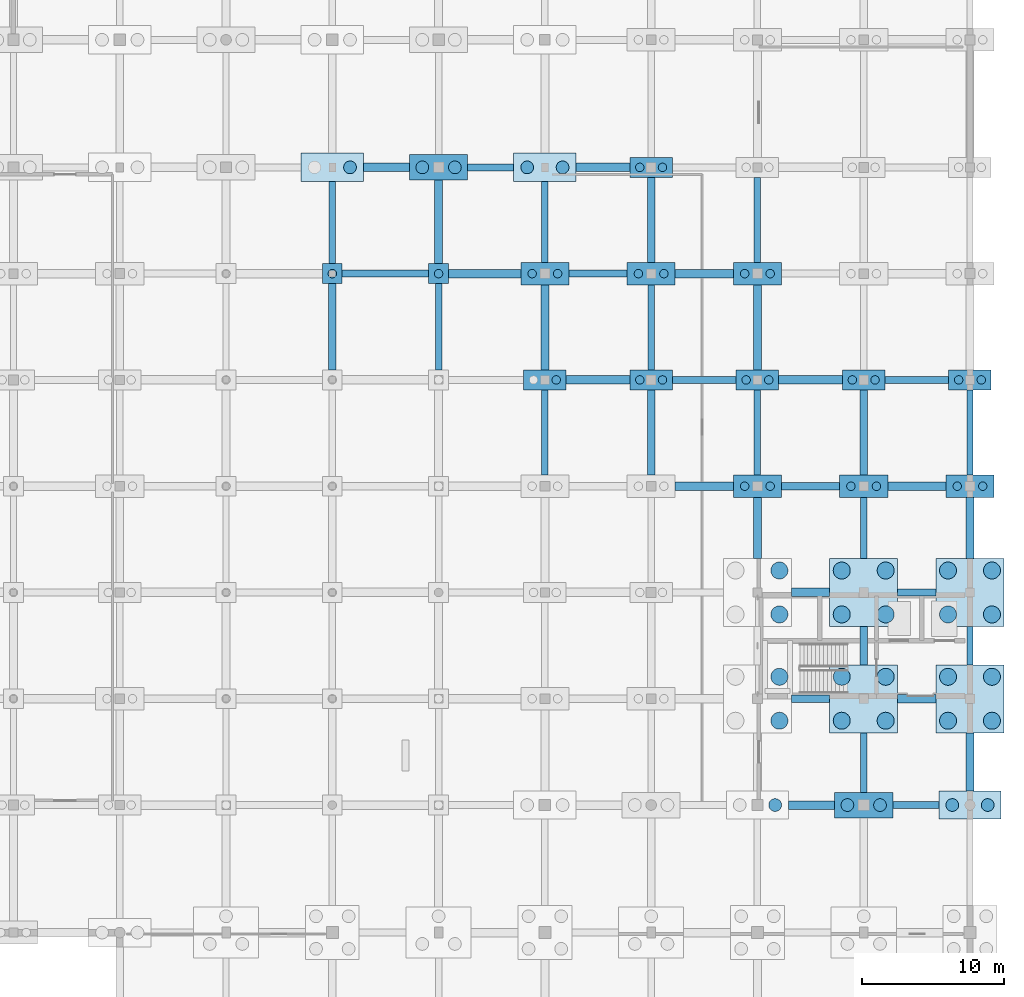
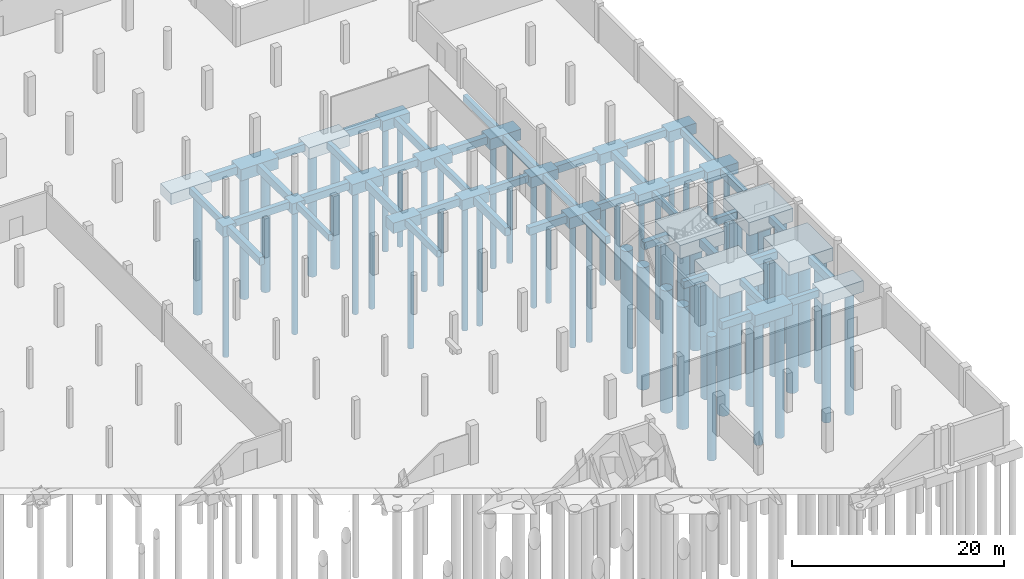
# One storey, part 13 of 42: 65 footings, 55 piles.
"""IFC4 building model written with IfcOpenShell, lengths in metres."""

from ifc_helpers import new_model, si_unit, direction, frame, origin, origin_2d, place, context, subcontext, project, spatial, rectangle, circle, extrude, material, material_profile, profile_set, type_object, element, save


model = new_model("IFC4")

# Units and contexts
model_context = context("Model", 3, precision=1e-05, world=origin(), true_north=direction((0.0, 1.0)))
body_context = subcontext(model_context, "Body", "Model", "MODEL_VIEW")
ifc_project = project(units=[si_unit("LENGTHUNIT", "METRE"), si_unit("AREAUNIT", "SQUARE_METRE"), si_unit("VOLUMEUNIT", "CUBIC_METRE"), si_unit("PLANEANGLEUNIT", "RADIAN"), si_unit("MASSUNIT", "GRAM", prefix="KILO")], contexts=[model_context])

# Site, building, storey
site_placement = place(None, origin())
site = spatial("IfcSite", under=ifc_project, at=site_placement, CompositionType="ELEMENT")
building_placement = place(site_placement, origin())
building = spatial("IfcBuilding", under=site, at=building_placement, Name="Dalvernix Boulevard General Hospital", CompositionType="ELEMENT")
storey_placement = place(building_placement, frame((0.0, 0.0, -4.5)))
storey = spatial("IfcBuildingStorey", under=building, at=storey_placement, Name="B1", CompositionType="ELEMENT", Elevation=-4.5)

# Footings
ifc_material_1 = material(Name="Concrete C35/45", Category="concrete")
footing_type_1 = type_object("IfcFootingType", Name="FTG-GB-01", PredefinedType="FOOTING_BEAM", material=ifc_material_1)
footing_1_placement = place(storey_placement, frame((168.675048828125, 31.5, -1.2998046875), z_axis=(0.0, 0.0, 1.0), x_axis=(1.0, 0.0, 0.0)))
element("IfcFooting", 1, at=footing_1_placement, inside=storey, type_object=footing_type_1, Name="Ground beam E:23-24", PredefinedType="FOOTING_BEAM", context=body_context, shape_type="SweptSolid", body=[
    extrude(rectangle(XDim=3.25, YDim=0.5, at=origin_2d()), origin(), (0.0, 0.0, 1.0), 0.800048828125),
])
for number, where, z_axis, x_axis, name in (
    (2, (161.25, 39.0, -1.2998046875), (0.0, 0.0, 1.0), (1.0, 0.0, 0.0), "Ground beam F:22-23"),
    (3, (168.75, 46.5, -1.2998046875), (0.0, 0.0, 1.0), (1.0, 0.0, 0.0), "Ground beam G:23-24"),
):
    element("IfcFooting", number, at=place(storey_placement, frame(where, z_axis=z_axis, x_axis=x_axis)), inside=storey, type_object=footing_type_1, Name=name, PredefinedType="FOOTING_BEAM", context=body_context, shape_type="SweptSolid", body=[
        extrude(rectangle(XDim=2.699951171875, YDim=0.5, at=origin_2d()), origin(), (0.0, 0.0, 1.0), 0.800048828125),
    ])
footing_2_placement = place(storey_placement, frame((161.25, 54.0, -1.2998046875), z_axis=(0.0, 0.0, 1.0), x_axis=(1.0, 0.0, 0.0)))
element("IfcFooting", 4, at=footing_2_placement, inside=storey, type_object=footing_type_1, Name="Ground beam H:22-23", PredefinedType="FOOTING_BEAM", context=body_context, shape_type="SweptSolid", body=[
    extrude(rectangle(XDim=4.10009765625, YDim=0.5, at=origin_2d()), origin(), (0.0, 0.0, 1.0), 0.800048828125),
])
for number, where, z_axis, x_axis, name in (
    (5, (153.75, 61.5, -1.2998046875), (0.0, 0.0, 1.0), (1.0, 0.0, 0.0), "Ground beam J:21-22"),
    (6, (168.75, 61.5, -1.2998046875), (0.0, 0.0, 1.0), (1.0, 0.0, 0.0), "Ground beam J:23-24"),
):
    element("IfcFooting", number, at=place(storey_placement, frame(where, z_axis=z_axis, x_axis=x_axis)), inside=storey, type_object=footing_type_1, Name=name, PredefinedType="FOOTING_BEAM", context=body_context, shape_type="SweptSolid", body=[
        extrude(rectangle(XDim=4.5, YDim=0.5, at=origin_2d()), origin(), (0.0, 0.0, 1.0), 0.800048828125),
    ])
footing_3_placement = place(storey_placement, frame((131.25, 69.0, -1.2998046875), z_axis=(0.0, 0.0, 1.0), x_axis=(1.0, 0.0, 0.0)))
element("IfcFooting", 7, at=footing_3_placement, inside=storey, type_object=footing_type_1, Name="Ground beam K:18-19", PredefinedType="FOOTING_BEAM", context=body_context, shape_type="SweptSolid", body=[
    extrude(rectangle(XDim=6.10009765625, YDim=0.5, at=origin_2d()), origin(), (0.0, 0.0, 1.0), 0.800048828125),
])
footing_4_placement = place(storey_placement, frame((146.25, 69.0, -1.2998046875), z_axis=(0.0, 0.0, 1.0), x_axis=(1.0, 0.0, 0.0)))
element("IfcFooting", 8, at=footing_4_placement, inside=storey, type_object=footing_type_1, Name="Ground beam K:20-21", PredefinedType="FOOTING_BEAM", context=body_context, shape_type="SweptSolid", body=[
    extrude(rectangle(XDim=4.10009765625, YDim=0.5, at=origin_2d()), origin(), (0.0, 0.0, 1.0), 0.800048828125),
])
footing_5_placement = place(storey_placement, frame((138.675048828125, 76.5, -1.2998046875), z_axis=(0.0, 0.0, 1.0), x_axis=(1.0, 0.0, 0.0)))
element("IfcFooting", 9, at=footing_5_placement, inside=storey, type_object=footing_type_1, Name="Ground beam L:19-20", PredefinedType="FOOTING_BEAM", context=body_context, shape_type="SweptSolid", body=[
    extrude(rectangle(XDim=3.25, YDim=0.5, at=origin_2d()), origin(), (0.0, 0.0, 1.0), 0.800048828125),
])
footing_type_2 = type_object("IfcFootingType", Name="FTG-GB-02", PredefinedType="FOOTING_BEAM", material=ifc_material_1)
footing_6_placement = place(storey_placement, frame((161.324951171875, 31.5, -1.35009765625), z_axis=(0.0, 0.0, 1.0), x_axis=(1.0, 0.0, 0.0)))
element("IfcFooting", 10, at=footing_6_placement, inside=storey, type_object=footing_type_2, Name="Ground beam E:22-23", PredefinedType="FOOTING_BEAM", context=body_context, shape_type="SweptSolid", body=[
    extrude(rectangle(XDim=3.25, YDim=0.60009765625, at=origin_2d()), origin(), (0.0, 0.0, 1.0), 0.85009765625),
])
for number, where, z_axis, x_axis, name in (
    (11, (168.75, 39.0, -1.35009765625), (0.0, 0.0, 1.0), (1.0, 0.0, 0.0), "Ground beam F:23-24"),
    (12, (161.25, 46.5, -1.35009765625), (0.0, 0.0, 1.0), (1.0, 0.0, 0.0), "Ground beam G:22-23"),
):
    element("IfcFooting", number, at=place(storey_placement, frame(where, z_axis=z_axis, x_axis=x_axis)), inside=storey, type_object=footing_type_2, Name=name, PredefinedType="FOOTING_BEAM", context=body_context, shape_type="SweptSolid", body=[
        extrude(rectangle(XDim=2.699951171875, YDim=0.60009765625, at=origin_2d()), origin(), (0.0, 0.0, 1.0), 0.85009765625),
    ])
for number, where, z_axis, x_axis, name in (
    (13, (153.75, 54.0, -1.35009765625), (0.0, 0.0, 1.0), (1.0, 0.0, 0.0), "Ground beam H:21-22"),
    (14, (168.75, 54.0, -1.35009765625), (0.0, 0.0, 1.0), (1.0, 0.0, 0.0), "Ground beam H:23-24"),
):
    element("IfcFooting", number, at=place(storey_placement, frame(where, z_axis=z_axis, x_axis=x_axis)), inside=storey, type_object=footing_type_2, Name=name, PredefinedType="FOOTING_BEAM", context=body_context, shape_type="SweptSolid", body=[
        extrude(rectangle(XDim=4.10009765625, YDim=0.60009765625, at=origin_2d()), origin(), (0.0, 0.0, 1.0), 0.85009765625),
    ])
for number, where, z_axis, x_axis, name in (
    (15, (146.25, 61.5, -1.35009765625), (0.0, 0.0, 1.0), (1.0, 0.0, 0.0), "Ground beam J:20-21"),
    (16, (161.25, 61.5, -1.35009765625), (0.0, 0.0, 1.0), (1.0, 0.0, 0.0), "Ground beam J:22-23"),
):
    element("IfcFooting", number, at=place(storey_placement, frame(where, z_axis=z_axis, x_axis=x_axis)), inside=storey, type_object=footing_type_2, Name=name, PredefinedType="FOOTING_BEAM", context=body_context, shape_type="SweptSolid", body=[
        extrude(rectangle(XDim=4.5, YDim=0.60009765625, at=origin_2d()), origin(), (0.0, 0.0, 1.0), 0.85009765625),
    ])
footing_7_placement = place(storey_placement, frame((138.25, 69.0, -1.35009765625), z_axis=(0.0, 0.0, 1.0), x_axis=(1.0, 0.0, 0.0)))
element("IfcFooting", 17, at=footing_7_placement, inside=storey, type_object=footing_type_2, Name="Ground beam K:19-20", PredefinedType="FOOTING_BEAM", context=body_context, shape_type="SweptSolid", body=[
    extrude(rectangle(XDim=5.10009765625, YDim=0.60009765625, at=origin_2d()), origin(), (0.0, 0.0, 1.0), 0.85009765625),
])
footing_8_placement = place(storey_placement, frame((153.75, 69.0, -1.35009765625), z_axis=(0.0, 0.0, 1.0), x_axis=(1.0, 0.0, 0.0)))
element("IfcFooting", 18, at=footing_8_placement, inside=storey, type_object=footing_type_2, Name="Ground beam K:21-22", PredefinedType="FOOTING_BEAM", context=body_context, shape_type="SweptSolid", body=[
    extrude(rectangle(XDim=4.10009765625, YDim=0.60009765625, at=origin_2d()), origin(), (0.0, 0.0, 1.0), 0.85009765625),
])
footing_9_placement = place(storey_placement, frame((131.324951171875, 76.5, -1.35009765625), z_axis=(0.0, 0.0, 1.0), x_axis=(1.0, 0.0, 0.0)))
element("IfcFooting", 19, at=footing_9_placement, inside=storey, type_object=footing_type_2, Name="Ground beam L:18-19", PredefinedType="FOOTING_BEAM", context=body_context, shape_type="SweptSolid", body=[
    extrude(rectangle(XDim=3.25, YDim=0.60009765625, at=origin_2d()), origin(), (0.0, 0.0, 1.0), 0.85009765625),
])
footing_10_placement = place(storey_placement, frame((146.60009765625, 76.5, -1.35009765625), z_axis=(0.0, 0.0, 1.0), x_axis=(1.0, 0.0, 0.0)))
element("IfcFooting", 20, at=footing_10_placement, inside=storey, type_object=footing_type_2, Name="Ground beam L:20-21", PredefinedType="FOOTING_BEAM", context=body_context, shape_type="SweptSolid", body=[
    extrude(rectangle(XDim=3.800048828125, YDim=0.60009765625, at=origin_2d()), origin(), (0.0, 0.0, 1.0), 0.85009765625),
])
footing_type_3 = type_object("IfcFootingType", Name="FTG-GB-03", PredefinedType="FOOTING_BEAM", material=ifc_material_1)
footing_11_placement = place(storey_placement, frame((127.5, 72.60009765625, -1.25), z_axis=(0.0, 0.0, 1.0), x_axis=(0.0, 1.0, 0.0)))
element("IfcFooting", 21, at=footing_11_placement, inside=storey, type_object=footing_type_3, Name="Ground beam 18:K-L", PredefinedType="FOOTING_BEAM", context=body_context, shape_type="SweptSolid", body=[
    extrude(rectangle(XDim=5.800048828125, YDim=0.449951171875, at=origin_2d()), origin(), (0.0, 0.0, 1.0), 0.75),
])
footing_12_placement = place(storey_placement, frame((135.0, 65.25, -1.25), z_axis=(0.0, 0.0, 1.0), x_axis=(0.0, 1.0, 0.0)))
element("IfcFooting", 22, at=footing_12_placement, inside=storey, type_object=footing_type_3, Name="Ground beam 19:J-K", PredefinedType="FOOTING_BEAM", context=body_context, shape_type="SweptSolid", body=[
    extrude(rectangle(XDim=6.10009765625, YDim=0.449951171875, at=origin_2d()), origin(), (0.0, 0.0, 1.0), 0.75),
])
footing_13_placement = place(storey_placement, frame((142.5, 57.800048828125, -1.25), z_axis=(0.0, 0.0, 1.0), x_axis=(0.0, 1.0, 0.0)))
element("IfcFooting", 23, at=footing_13_placement, inside=storey, type_object=footing_type_3, Name="Ground beam 20:H-J", PredefinedType="FOOTING_BEAM", context=body_context, shape_type="SweptSolid", body=[
    extrude(rectangle(XDim=6.0, YDim=0.449951171875, at=origin_2d()), origin(), (0.0, 0.0, 1.0), 0.75),
])
footing_14_placement = place(storey_placement, frame((142.5, 72.64990234375, -1.25), z_axis=(0.0, 0.0, 1.0), x_axis=(0.0, 1.0, 0.0)))
element("IfcFooting", 24, at=footing_14_placement, inside=storey, type_object=footing_type_3, Name="Ground beam 20:K-L", PredefinedType="FOOTING_BEAM", context=body_context, shape_type="SweptSolid", body=[
    extrude(rectangle(XDim=5.699951171875, YDim=0.449951171875, at=origin_2d()), origin(), (0.0, 0.0, 1.0), 0.75),
])
for number, where, z_axis, x_axis, name in (
    (25, (150.0, 65.199951171875, -1.25), (0.0, 0.0, 1.0), (0.0, 1.0, 0.0), "Ground beam 21:J-K"),
    (26, (157.5, 57.800048828125, -1.25), (0.0, 0.0, 1.0), (0.0, 1.0, 0.0), "Ground beam 22:H-J"),
    (27, (157.5, 72.800048828125, -1.25), (0.0, 0.0, 1.0), (0.0, 1.0, 0.0), "Ground beam 22:K-L"),
):
    element("IfcFooting", number, at=place(storey_placement, frame(where, z_axis=z_axis, x_axis=x_axis)), inside=storey, type_object=footing_type_3, Name=name, PredefinedType="FOOTING_BEAM", context=body_context, shape_type="SweptSolid", body=[
        extrude(rectangle(XDim=6.0, YDim=0.449951171875, at=origin_2d()), origin(), (0.0, 0.0, 1.0), 0.75),
    ])
footing_15_placement = place(storey_placement, frame((165.0, 34.5, -1.25), z_axis=(0.0, 0.0, 1.0), x_axis=(0.0, 1.0, 0.0)))
element("IfcFooting", 28, at=footing_15_placement, inside=storey, type_object=footing_type_3, Name="Ground beam 23:E-F", PredefinedType="FOOTING_BEAM", context=body_context, shape_type="SweptSolid", body=[
    extrude(rectangle(XDim=4.199951171875, YDim=0.449951171875, at=origin_2d()), origin(), (0.0, 0.0, 1.0), 0.75),
])
footing_16_placement = place(storey_placement, frame((165.0, 51.050048828125, -1.25), z_axis=(0.0, 0.0, 1.0), x_axis=(0.0, 1.0, 0.0)))
element("IfcFooting", 29, at=footing_16_placement, inside=storey, type_object=footing_type_3, Name="Ground beam 23:G-H", PredefinedType="FOOTING_BEAM", context=body_context, shape_type="SweptSolid", body=[
    extrude(rectangle(XDim=4.300048828125, YDim=0.449951171875, at=origin_2d()), origin(), (0.0, 0.0, 1.0), 0.75),
])
footing_17_placement = place(storey_placement, frame((172.5, 42.75, -1.25), z_axis=(0.0, 0.0, 1.0), x_axis=(0.0, 1.0, 0.0)))
element("IfcFooting", 30, at=footing_17_placement, inside=storey, type_object=footing_type_3, Name="Ground beam 24:F-G", PredefinedType="FOOTING_BEAM", context=body_context, shape_type="SweptSolid", body=[
    extrude(rectangle(XDim=2.699951171875, YDim=0.449951171875, at=origin_2d()), origin(), (0.0, 0.0, 1.0), 0.75),
])
footing_18_placement = place(storey_placement, frame((172.5, 57.800048828125, -1.25), z_axis=(0.0, 0.0, 1.0), x_axis=(0.0, 1.0, 0.0)))
element("IfcFooting", 31, at=footing_18_placement, inside=storey, type_object=footing_type_3, Name="Ground beam 24:H-J", PredefinedType="FOOTING_BEAM", context=body_context, shape_type="SweptSolid", body=[
    extrude(rectangle(XDim=6.0, YDim=0.449951171875, at=origin_2d()), origin(), (0.0, 0.0, 1.0), 0.75),
])
footing_type_4 = type_object("IfcFootingType", Name="FTG-GB-04", PredefinedType="FOOTING_BEAM", material=ifc_material_1)
footing_19_placement = place(storey_placement, frame((127.5, 65.25, -1.39990234375), z_axis=(0.0, 0.0, 1.0), x_axis=(0.0, 1.0, 0.0)))
element("IfcFooting", 32, at=footing_19_placement, inside=storey, type_object=footing_type_4, Name="Ground beam 18:J-K", PredefinedType="FOOTING_BEAM", context=body_context, shape_type="SweptSolid", body=[
    extrude(rectangle(XDim=6.10009765625, YDim=0.550048828125, at=origin_2d()), origin(), (0.0, 0.0, 1.0), 0.89990234375),
])
footing_20_placement = place(storey_placement, frame((135.0, 72.64990234375, -1.39990234375), z_axis=(0.0, 0.0, 1.0), x_axis=(0.0, 1.0, 0.0)))
element("IfcFooting", 33, at=footing_20_placement, inside=storey, type_object=footing_type_4, Name="Ground beam 19:K-L", PredefinedType="FOOTING_BEAM", context=body_context, shape_type="SweptSolid", body=[
    extrude(rectangle(XDim=5.89990234375, YDim=0.550048828125, at=origin_2d()), origin(), (0.0, 0.0, 1.0), 0.89990234375),
])
for number, where, z_axis, x_axis, name in (
    (34, (142.5, 65.199951171875, -1.39990234375), (0.0, 0.0, 1.0), (0.0, 1.0, 0.0), "Ground beam 20:J-K"),
    (35, (150.0, 57.800048828125, -1.39990234375), (0.0, 0.0, 1.0), (0.0, 1.0, 0.0), "Ground beam 21:H-J"),
    (36, (150.0, 72.800048828125, -1.39990234375), (0.0, 0.0, 1.0), (0.0, 1.0, 0.0), "Ground beam 21:K-L"),
):
    element("IfcFooting", number, at=place(storey_placement, frame(where, z_axis=z_axis, x_axis=x_axis)), inside=storey, type_object=footing_type_4, Name=name, PredefinedType="FOOTING_BEAM", context=body_context, shape_type="SweptSolid", body=[
        extrude(rectangle(XDim=6.0, YDim=0.550048828125, at=origin_2d()), origin(), (0.0, 0.0, 1.0), 0.89990234375),
    ])
footing_21_placement = place(storey_placement, frame((157.5, 51.050048828125, -1.39990234375), z_axis=(0.0, 0.0, 1.0), x_axis=(0.0, 1.0, 0.0)))
element("IfcFooting", 37, at=footing_21_placement, inside=storey, type_object=footing_type_4, Name="Ground beam 22:G-H", PredefinedType="FOOTING_BEAM", context=body_context, shape_type="SweptSolid", body=[
    extrude(rectangle(XDim=4.300048828125, YDim=0.550048828125, at=origin_2d()), origin(), (0.0, 0.0, 1.0), 0.89990234375),
])
footing_22_placement = place(storey_placement, frame((157.5, 65.199951171875, -1.39990234375), z_axis=(0.0, 0.0, 1.0), x_axis=(0.0, 1.0, 0.0)))
element("IfcFooting", 38, at=footing_22_placement, inside=storey, type_object=footing_type_4, Name="Ground beam 22:J-K", PredefinedType="FOOTING_BEAM", context=body_context, shape_type="SweptSolid", body=[
    extrude(rectangle(XDim=6.0, YDim=0.550048828125, at=origin_2d()), origin(), (0.0, 0.0, 1.0), 0.89990234375),
])
footing_23_placement = place(storey_placement, frame((165.0, 42.75, -1.39990234375), z_axis=(0.0, 0.0, 1.0), x_axis=(0.0, 1.0, 0.0)))
element("IfcFooting", 39, at=footing_23_placement, inside=storey, type_object=footing_type_4, Name="Ground beam 23:F-G", PredefinedType="FOOTING_BEAM", context=body_context, shape_type="SweptSolid", body=[
    extrude(rectangle(XDim=2.699951171875, YDim=0.550048828125, at=origin_2d()), origin(), (0.0, 0.0, 1.0), 0.89990234375),
])
footing_24_placement = place(storey_placement, frame((165.0, 57.800048828125, -1.39990234375), z_axis=(0.0, 0.0, 1.0), x_axis=(0.0, 1.0, 0.0)))
element("IfcFooting", 40, at=footing_24_placement, inside=storey, type_object=footing_type_4, Name="Ground beam 23:H-J", PredefinedType="FOOTING_BEAM", context=body_context, shape_type="SweptSolid", body=[
    extrude(rectangle(XDim=6.0, YDim=0.550048828125, at=origin_2d()), origin(), (0.0, 0.0, 1.0), 0.89990234375),
])
footing_25_placement = place(storey_placement, frame((172.5, 34.550048828125, -1.39990234375), z_axis=(0.0, 0.0, 1.0), x_axis=(0.0, 1.0, 0.0)))
element("IfcFooting", 41, at=footing_25_placement, inside=storey, type_object=footing_type_4, Name="Ground beam 24:E-F", PredefinedType="FOOTING_BEAM", context=body_context, shape_type="SweptSolid", body=[
    extrude(rectangle(XDim=4.10009765625, YDim=0.550048828125, at=origin_2d()), origin(), (0.0, 0.0, 1.0), 0.89990234375),
])
footing_26_placement = place(storey_placement, frame((172.5, 51.050048828125, -1.39990234375), z_axis=(0.0, 0.0, 1.0), x_axis=(0.0, 1.0, 0.0)))
element("IfcFooting", 42, at=footing_26_placement, inside=storey, type_object=footing_type_4, Name="Ground beam 24:G-H", PredefinedType="FOOTING_BEAM", context=body_context, shape_type="SweptSolid", body=[
    extrude(rectangle(XDim=4.300048828125, YDim=0.550048828125, at=origin_2d()), origin(), (0.0, 0.0, 1.0), 0.89990234375),
])
ifc_material_2 = material(Name="Concrete C40/50", Category="concrete")
footing_type_5 = type_object("IfcFootingType", Name="FTG-PC-01", PredefinedType="PILE_CAP", material=ifc_material_2)
for number, where, z_axis, x_axis, name in (
    (43, (127.5, 69.0, -1.7001953125), (0.0, 0.0, 1.0), (1.0, 0.0, 0.0), "Pile cap 18K"),
    (44, (135.0, 69.0, -1.7001953125), (0.0, 0.0, 1.0), (1.0, 0.0, 0.0), "Pile cap 19K"),
):
    element("IfcFooting", number, at=place(storey_placement, frame(where, z_axis=z_axis, x_axis=x_axis)), inside=storey, type_object=footing_type_5, Name=name, PredefinedType="PILE_CAP", context=body_context, shape_type="SweptSolid", body=[
        extrude(rectangle(XDim=1.39990234375, YDim=1.39990234375, at=origin_2d()), origin(), (0.0, 0.0, 1.0), 1.199951171875),
    ])
footing_type_6 = type_object("IfcFootingType", Name="FTG-PC-02", PredefinedType="PILE_CAP", material=ifc_material_2)
for number, where, z_axis, x_axis, name in (
    (45, (142.5, 61.5, -1.7001953125), (0.0, 0.0, 1.0), (1.0, 0.0, 0.0), "Pile cap 20J"),
    (46, (150.0, 61.5, -1.7001953125), (0.0, 0.0, 1.0), (1.0, 0.0, 0.0), "Pile cap 21J"),
    (47, (150.0, 76.5, -1.7001953125), (0.0, 0.0, 1.0), (1.0, 0.0, 0.0), "Pile cap 21L"),
    (48, (157.5, 61.5, -1.7001953125), (0.0, 0.0, 1.0), (1.0, 0.0, 0.0), "Pile cap 22J"),
    (49, (165.0, 61.5, -1.7001953125), (0.0, 0.0, 1.0), (1.0, 0.0, 0.0), "Pile cap 23J"),
    (50, (172.5, 61.5, -1.7001953125), (0.0, 0.0, 1.0), (1.0, 0.0, 0.0), "Pile cap 24J"),
):
    element("IfcFooting", number, at=place(storey_placement, frame(where, z_axis=z_axis, x_axis=x_axis)), inside=storey, type_object=footing_type_6, Name=name, PredefinedType="PILE_CAP", context=body_context, shape_type="SweptSolid", body=[
        extrude(rectangle(XDim=3.0, YDim=1.39990234375, at=origin_2d()), origin(), (0.0, 0.0, 1.0), 1.199951171875),
    ])
footing_type_7 = type_object("IfcFootingType", Name="FTG-PC-03", PredefinedType="PILE_CAP", material=ifc_material_2)
for number, where, z_axis, x_axis, name in (
    (51, (142.5, 69.0, -1.75), (0.0, 0.0, 1.0), (1.0, 0.0, 0.0), "Pile cap 20K"),
    (52, (150.0, 69.0, -1.75), (0.0, 0.0, 1.0), (1.0, 0.0, 0.0), "Pile cap 21K"),
    (53, (157.5, 54.0, -1.75), (0.0, 0.0, 1.0), (1.0, 0.0, 0.0), "Pile cap 22H"),
    (54, (157.5, 69.0, -1.75), (0.0, 0.0, 1.0), (1.0, 0.0, 0.0), "Pile cap 22K"),
    (55, (165.0, 54.0, -1.75), (0.0, 0.0, 1.0), (1.0, 0.0, 0.0), "Pile cap 23H"),
    (56, (172.5, 54.0, -1.75), (0.0, 0.0, 1.0), (1.0, 0.0, 0.0), "Pile cap 24H"),
):
    element("IfcFooting", number, at=place(storey_placement, frame(where, z_axis=z_axis, x_axis=x_axis)), inside=storey, type_object=footing_type_7, Name=name, PredefinedType="PILE_CAP", context=body_context, shape_type="SweptSolid", body=[
        extrude(rectangle(XDim=3.39990234375, YDim=1.60009765625, at=origin_2d()), origin(), (0.0, 0.0, 1.0), 1.25),
    ])
footing_type_8 = type_object("IfcFootingType", Name="FTG-PC-04", PredefinedType="PILE_CAP", material=ifc_material_2)
for number, where, z_axis, x_axis, name in (
    (57, (135.0, 76.5, -1.7998046875), (0.0, 0.0, 1.0), (1.0, 0.0, 0.0), "Pile cap 19L"),
    (58, (165.0, 31.5, -1.7998046875), (0.0, 0.0, 1.0), (1.0, 0.0, 0.0), "Pile cap 23E"),
):
    element("IfcFooting", number, at=place(storey_placement, frame(where, z_axis=z_axis, x_axis=x_axis)), inside=storey, type_object=footing_type_8, Name=name, PredefinedType="PILE_CAP", context=body_context, shape_type="SweptSolid", body=[
        extrude(rectangle(XDim=4.10009765625, YDim=1.800048828125, at=origin_2d()), origin(), (0.0, 0.0, 1.0), 1.300048828125),
    ])
footing_type_9 = type_object("IfcFootingType", Name="FTG-PC-05", PredefinedType="PILE_CAP", material=ifc_material_2)
for number, where, z_axis, x_axis, name in (
    (59, (127.5, 76.5, -1.7998046875), (0.0, 0.0, 1.0), (1.0, 0.0, 0.0), "Pile cap 18L"),
    (60, (142.5, 76.5, -1.7998046875), (0.0, 0.0, 1.0), (1.0, 0.0, 0.0), "Pile cap 20L"),
    (61, (172.5, 31.5, -1.7998046875), (0.0, 0.0, 1.0), (1.0, 0.0, 0.0), "Pile cap 24E"),
):
    element("IfcFooting", number, at=place(storey_placement, frame(where, z_axis=z_axis, x_axis=x_axis)), inside=storey, type_object=footing_type_9, Name=name, PredefinedType="PILE_CAP", context=body_context, shape_type="SweptSolid", body=[
        extrude(rectangle(XDim=4.39990234375, YDim=2.0, at=origin_2d()), origin(), (0.0, 0.0, 1.0), 1.300048828125),
    ])
footing_type_10 = type_object("IfcFootingType", Name="FTG-PC-09", PredefinedType="PILE_CAP", material=ifc_material_2)
for number, where, z_axis, x_axis, name in (
    (62, (165.0, 39.0, -2.0), (0.0, 0.0, 1.0), (1.0, 0.0, 0.0), "Pile cap 23F"),
    (63, (165.0, 46.5, -2.0), (0.0, 0.0, 1.0), (1.0, 0.0, 0.0), "Pile cap 23G"),
    (64, (172.5, 39.0, -2.0), (0.0, 0.0, 1.0), (1.0, 0.0, 0.0), "Pile cap 24F"),
    (65, (172.5, 46.5, -2.0), (0.0, 0.0, 1.0), (1.0, 0.0, 0.0), "Pile cap 24G"),
):
    element("IfcFooting", number, at=place(storey_placement, frame(where, z_axis=z_axis, x_axis=x_axis)), inside=storey, type_object=footing_type_10, Name=name, PredefinedType="PILE_CAP", context=body_context, shape_type="SweptSolid", body=[
        extrude(rectangle(XDim=4.800048828125, YDim=4.800048828125, at=origin_2d()), origin(), (0.0, 0.0, 1.0), 1.5),
    ])

# Piles
ifc_material_profile_1 = material_profile(ifc_material_1, circle(Radius=0.300048828125, at=origin_2d()), Name="BORED PILE D600")
ifc_profile_set_1 = profile_set([ifc_material_profile_1], Name="Concrete C35/45")
pile_type_1 = type_object("IfcPileType", Name="PILE-PL-01", PredefinedType="BORED", material=ifc_profile_set_1)
for number, where, z_axis, x_axis, name in (
    (66, (127.5, 69.0, -1.60009765625), (0.0, 0.0, -1.0), (1.0, 0.0, 0.0), "Bored pile 18K-1"),
    (67, (135.0, 69.0, -1.60009765625), (0.0, 0.0, -1.0), (1.0, 0.0, 0.0), "Bored pile 19K-1"),
    (68, (143.300048828125, 61.5, -1.60009765625), (0.0, 0.0, -1.0), (1.0, 0.0, 0.0), "Bored pile 20J-2"),
):
    element("IfcPile", number, at=place(storey_placement, frame(where, z_axis=z_axis, x_axis=x_axis)), inside=storey, type_object=pile_type_1, Name=name, PredefinedType="BORED", context=body_context, shape_type="SweptSolid", body=[
        extrude(circle(Radius=0.300048828125, at=origin_2d()), origin(), (0.0, 0.0, 1.0), 14.39990234375),
    ])
for number, where, z_axis, x_axis, name in (
    (69, (141.60009765625, 69.0, -1.64990234375), (0.0, 0.0, -1.0), (1.0, 0.0, 0.0), "Bored pile 20K-1"),
    (70, (143.39990234375, 69.0, -1.64990234375), (0.0, 0.0, -1.0), (1.0, 0.0, 0.0), "Bored pile 20K-2"),
):
    element("IfcPile", number, at=place(storey_placement, frame(where, z_axis=z_axis, x_axis=x_axis)), inside=storey, type_object=pile_type_1, Name=name, PredefinedType="BORED", context=body_context, shape_type="SweptSolid", body=[
        extrude(circle(Radius=0.300048828125, at=origin_2d()), origin(), (0.0, 0.0, 1.0), 14.35009765625),
    ])
for number, where, z_axis, x_axis, name in (
    (71, (149.199951171875, 61.5, -1.60009765625), (0.0, 0.0, -1.0), (1.0, 0.0, 0.0), "Bored pile 21J-1"),
    (72, (150.800048828125, 61.5, -1.60009765625), (0.0, 0.0, -1.0), (1.0, 0.0, 0.0), "Bored pile 21J-2"),
):
    element("IfcPile", number, at=place(storey_placement, frame(where, z_axis=z_axis, x_axis=x_axis)), inside=storey, type_object=pile_type_1, Name=name, PredefinedType="BORED", context=body_context, shape_type="SweptSolid", body=[
        extrude(circle(Radius=0.300048828125, at=origin_2d()), origin(), (0.0, 0.0, 1.0), 14.39990234375),
    ])
for number, where, z_axis, x_axis, name in (
    (73, (149.10009765625, 69.0, -1.64990234375), (0.0, 0.0, -1.0), (1.0, 0.0, 0.0), "Bored pile 21K-1"),
    (74, (150.89990234375, 69.0, -1.64990234375), (0.0, 0.0, -1.0), (1.0, 0.0, 0.0), "Bored pile 21K-2"),
):
    element("IfcPile", number, at=place(storey_placement, frame(where, z_axis=z_axis, x_axis=x_axis)), inside=storey, type_object=pile_type_1, Name=name, PredefinedType="BORED", context=body_context, shape_type="SweptSolid", body=[
        extrude(circle(Radius=0.300048828125, at=origin_2d()), origin(), (0.0, 0.0, 1.0), 14.35009765625),
    ])
for number, where, z_axis, x_axis, name in (
    (75, (149.199951171875, 76.5, -1.60009765625), (0.0, 0.0, -1.0), (1.0, 0.0, 0.0), "Bored pile 21L-1"),
    (76, (150.800048828125, 76.5, -1.60009765625), (0.0, 0.0, -1.0), (1.0, 0.0, 0.0), "Bored pile 21L-2"),
):
    element("IfcPile", number, at=place(storey_placement, frame(where, z_axis=z_axis, x_axis=x_axis)), inside=storey, type_object=pile_type_1, Name=name, PredefinedType="BORED", context=body_context, shape_type="SweptSolid", body=[
        extrude(circle(Radius=0.300048828125, at=origin_2d()), origin(), (0.0, 0.0, 1.0), 14.39990234375),
    ])
for number, where, z_axis, x_axis, name in (
    (77, (156.60009765625, 54.0, -1.64990234375), (0.0, 0.0, -1.0), (1.0, 0.0, 0.0), "Bored pile 22H-1"),
    (78, (158.39990234375, 54.0, -1.64990234375), (0.0, 0.0, -1.0), (1.0, 0.0, 0.0), "Bored pile 22H-2"),
):
    element("IfcPile", number, at=place(storey_placement, frame(where, z_axis=z_axis, x_axis=x_axis)), inside=storey, type_object=pile_type_1, Name=name, PredefinedType="BORED", context=body_context, shape_type="SweptSolid", body=[
        extrude(circle(Radius=0.300048828125, at=origin_2d()), origin(), (0.0, 0.0, 1.0), 14.35009765625),
    ])
for number, where, z_axis, x_axis, name in (
    (79, (156.699951171875, 61.5, -1.60009765625), (0.0, 0.0, -1.0), (1.0, 0.0, 0.0), "Bored pile 22J-1"),
    (80, (158.300048828125, 61.5, -1.60009765625), (0.0, 0.0, -1.0), (1.0, 0.0, 0.0), "Bored pile 22J-2"),
):
    element("IfcPile", number, at=place(storey_placement, frame(where, z_axis=z_axis, x_axis=x_axis)), inside=storey, type_object=pile_type_1, Name=name, PredefinedType="BORED", context=body_context, shape_type="SweptSolid", body=[
        extrude(circle(Radius=0.300048828125, at=origin_2d()), origin(), (0.0, 0.0, 1.0), 14.39990234375),
    ])
for number, where, z_axis, x_axis, name in (
    (81, (156.60009765625, 69.0, -1.64990234375), (0.0, 0.0, -1.0), (1.0, 0.0, 0.0), "Bored pile 22K-1"),
    (82, (158.39990234375, 69.0, -1.64990234375), (0.0, 0.0, -1.0), (1.0, 0.0, 0.0), "Bored pile 22K-2"),
    (83, (164.10009765625, 54.0, -1.64990234375), (0.0, 0.0, -1.0), (1.0, 0.0, 0.0), "Bored pile 23H-1"),
    (84, (165.89990234375, 54.0, -1.64990234375), (0.0, 0.0, -1.0), (1.0, 0.0, 0.0), "Bored pile 23H-2"),
):
    element("IfcPile", number, at=place(storey_placement, frame(where, z_axis=z_axis, x_axis=x_axis)), inside=storey, type_object=pile_type_1, Name=name, PredefinedType="BORED", context=body_context, shape_type="SweptSolid", body=[
        extrude(circle(Radius=0.300048828125, at=origin_2d()), origin(), (0.0, 0.0, 1.0), 14.35009765625),
    ])
for number, where, z_axis, x_axis, name in (
    (85, (164.199951171875, 61.5, -1.60009765625), (0.0, 0.0, -1.0), (1.0, 0.0, 0.0), "Bored pile 23J-1"),
    (86, (165.800048828125, 61.5, -1.60009765625), (0.0, 0.0, -1.0), (1.0, 0.0, 0.0), "Bored pile 23J-2"),
):
    element("IfcPile", number, at=place(storey_placement, frame(where, z_axis=z_axis, x_axis=x_axis)), inside=storey, type_object=pile_type_1, Name=name, PredefinedType="BORED", context=body_context, shape_type="SweptSolid", body=[
        extrude(circle(Radius=0.300048828125, at=origin_2d()), origin(), (0.0, 0.0, 1.0), 14.39990234375),
    ])
for number, where, z_axis, x_axis, name in (
    (87, (171.60009765625, 54.0, -1.64990234375), (0.0, 0.0, -1.0), (1.0, 0.0, 0.0), "Bored pile 24H-1"),
    (88, (173.39990234375, 54.0, -1.64990234375), (0.0, 0.0, -1.0), (1.0, 0.0, 0.0), "Bored pile 24H-2"),
):
    element("IfcPile", number, at=place(storey_placement, frame(where, z_axis=z_axis, x_axis=x_axis)), inside=storey, type_object=pile_type_1, Name=name, PredefinedType="BORED", context=body_context, shape_type="SweptSolid", body=[
        extrude(circle(Radius=0.300048828125, at=origin_2d()), origin(), (0.0, 0.0, 1.0), 14.35009765625),
    ])
for number, where, z_axis, x_axis, name in (
    (89, (171.699951171875, 61.5, -1.60009765625), (0.0, 0.0, -1.0), (1.0, 0.0, 0.0), "Bored pile 24J-1"),
    (90, (173.300048828125, 61.5, -1.60009765625), (0.0, 0.0, -1.0), (1.0, 0.0, 0.0), "Bored pile 24J-2"),
):
    element("IfcPile", number, at=place(storey_placement, frame(where, z_axis=z_axis, x_axis=x_axis)), inside=storey, type_object=pile_type_1, Name=name, PredefinedType="BORED", context=body_context, shape_type="SweptSolid", body=[
        extrude(circle(Radius=0.300048828125, at=origin_2d()), origin(), (0.0, 0.0, 1.0), 14.39990234375),
    ])
ifc_material_profile_2 = material_profile(ifc_material_1, circle(Radius=0.449951171875, at=origin_2d()), Name="BORED PILE D900")
ifc_profile_set_2 = profile_set([ifc_material_profile_2], Name="Concrete C35/45")
pile_type_2 = type_object("IfcPileType", Name="PILE-PL-02", PredefinedType="BORED", material=ifc_profile_set_2)
for number, where, z_axis, x_axis, name in (
    (91, (128.75, 76.5, -1.699951171875), (0.0, 0.0, -1.0), (1.0, 0.0, 0.0), "Bored pile 18L-2"),
    (92, (133.85009765625, 76.5, -1.699951171875), (0.0, 0.0, -1.0), (1.0, 0.0, 0.0), "Bored pile 19L-1"),
    (93, (136.14990234375, 76.5, -1.699951171875), (0.0, 0.0, -1.0), (1.0, 0.0, 0.0), "Bored pile 19L-2"),
    (94, (141.25, 76.5, -1.699951171875), (0.0, 0.0, -1.0), (1.0, 0.0, 0.0), "Bored pile 20L-1"),
    (95, (143.75, 76.5, -1.699951171875), (0.0, 0.0, -1.0), (1.0, 0.0, 0.0), "Bored pile 20L-2"),
    (96, (158.75, 31.5, -1.699951171875), (0.0, 0.0, -1.0), (1.0, 0.0, 0.0), "Bored pile 22E-2"),
    (97, (163.85009765625, 31.5, -1.699951171875), (0.0, 0.0, -1.0), (1.0, 0.0, 0.0), "Bored pile 23E-1"),
    (98, (166.14990234375, 31.5, -1.699951171875), (0.0, 0.0, -1.0), (1.0, 0.0, 0.0), "Bored pile 23E-2"),
    (99, (171.25, 31.5, -1.699951171875), (0.0, 0.0, -1.0), (1.0, 0.0, 0.0), "Bored pile 24E-1"),
    (100, (173.75, 31.5, -1.699951171875), (0.0, 0.0, -1.0), (1.0, 0.0, 0.0), "Bored pile 24E-2"),
):
    element("IfcPile", number, at=place(storey_placement, frame(where, z_axis=z_axis, x_axis=x_axis)), inside=storey, type_object=pile_type_2, Name=name, PredefinedType="BORED", context=body_context, shape_type="SweptSolid", body=[
        extrude(circle(Radius=0.449951171875, at=origin_2d()), origin(), (0.0, 0.0, 1.0), 14.300048828125),
    ])
ifc_material_profile_3 = material_profile(ifc_material_1, circle(Radius=0.60009765625, at=origin_2d()), Name="BORED PILE D1200")
ifc_profile_set_3 = profile_set([ifc_material_profile_3], Name="Concrete C35/45")
pile_type_3 = type_object("IfcPileType", Name="PILE-PL-03", PredefinedType="BORED", material=ifc_profile_set_3)
for number, where, z_axis, x_axis, name in (
    (101, (159.050048828125, 37.449951171875, -1.89990234375), (0.0, 0.0, -1.0), (1.0, 0.0, 0.0), "Bored pile 22F-2"),
    (102, (159.050048828125, 40.550048828125, -1.89990234375), (0.0, 0.0, -1.0), (1.0, 0.0, 0.0), "Bored pile 22F-4"),
    (103, (159.050048828125, 44.949951171875, -1.89990234375), (0.0, 0.0, -1.0), (1.0, 0.0, 0.0), "Bored pile 22G-2"),
    (104, (159.050048828125, 48.050048828125, -1.89990234375), (0.0, 0.0, -1.0), (1.0, 0.0, 0.0), "Bored pile 22G-4"),
    (105, (163.449951171875, 37.449951171875, -1.89990234375), (0.0, 0.0, -1.0), (1.0, 0.0, 0.0), "Bored pile 23F-1"),
    (106, (166.550048828125, 37.449951171875, -1.89990234375), (0.0, 0.0, -1.0), (1.0, 0.0, 0.0), "Bored pile 23F-2"),
    (107, (163.449951171875, 40.550048828125, -1.89990234375), (0.0, 0.0, -1.0), (1.0, 0.0, 0.0), "Bored pile 23F-3"),
    (108, (166.550048828125, 40.550048828125, -1.89990234375), (0.0, 0.0, -1.0), (1.0, 0.0, 0.0), "Bored pile 23F-4"),
    (109, (163.449951171875, 44.949951171875, -1.89990234375), (0.0, 0.0, -1.0), (1.0, 0.0, 0.0), "Bored pile 23G-1"),
    (110, (166.550048828125, 44.949951171875, -1.89990234375), (0.0, 0.0, -1.0), (1.0, 0.0, 0.0), "Bored pile 23G-2"),
    (111, (163.449951171875, 48.050048828125, -1.89990234375), (0.0, 0.0, -1.0), (1.0, 0.0, 0.0), "Bored pile 23G-3"),
    (112, (166.550048828125, 48.050048828125, -1.89990234375), (0.0, 0.0, -1.0), (1.0, 0.0, 0.0), "Bored pile 23G-4"),
    (113, (170.949951171875, 37.449951171875, -1.89990234375), (0.0, 0.0, -1.0), (1.0, 0.0, 0.0), "Bored pile 24F-1"),
    (114, (174.050048828125, 37.449951171875, -1.89990234375), (0.0, 0.0, -1.0), (1.0, 0.0, 0.0), "Bored pile 24F-2"),
    (115, (170.949951171875, 40.550048828125, -1.89990234375), (0.0, 0.0, -1.0), (1.0, 0.0, 0.0), "Bored pile 24F-3"),
    (116, (174.050048828125, 40.550048828125, -1.89990234375), (0.0, 0.0, -1.0), (1.0, 0.0, 0.0), "Bored pile 24F-4"),
    (117, (170.949951171875, 44.949951171875, -1.89990234375), (0.0, 0.0, -1.0), (1.0, 0.0, 0.0), "Bored pile 24G-1"),
    (118, (174.050048828125, 44.949951171875, -1.89990234375), (0.0, 0.0, -1.0), (1.0, 0.0, 0.0), "Bored pile 24G-2"),
    (119, (170.949951171875, 48.050048828125, -1.89990234375), (0.0, 0.0, -1.0), (1.0, 0.0, 0.0), "Bored pile 24G-3"),
    (120, (174.050048828125, 48.050048828125, -1.89990234375), (0.0, 0.0, -1.0), (1.0, 0.0, 0.0), "Bored pile 24G-4"),
):
    element("IfcPile", number, at=place(storey_placement, frame(where, z_axis=z_axis, x_axis=x_axis)), inside=storey, type_object=pile_type_3, Name=name, PredefinedType="BORED", context=body_context, shape_type="SweptSolid", body=[
        extrude(circle(Radius=0.60009765625, at=origin_2d()), origin(), (0.0, 0.0, 1.0), 14.10009765625),
    ])

save(model, "model.ifc")
